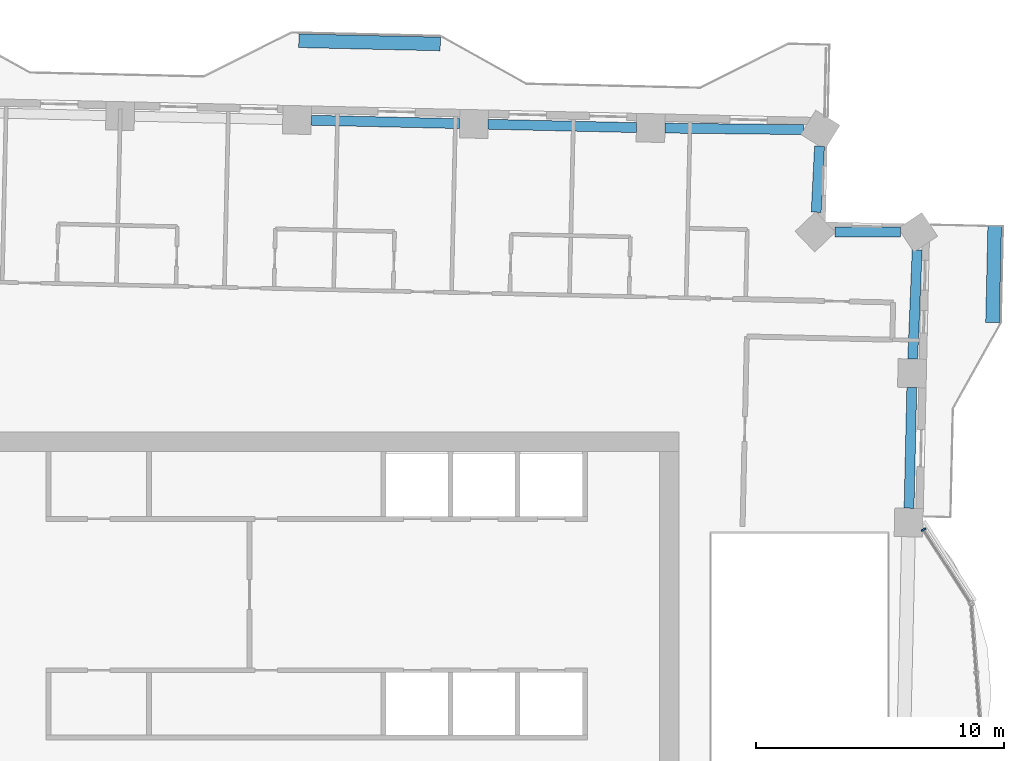
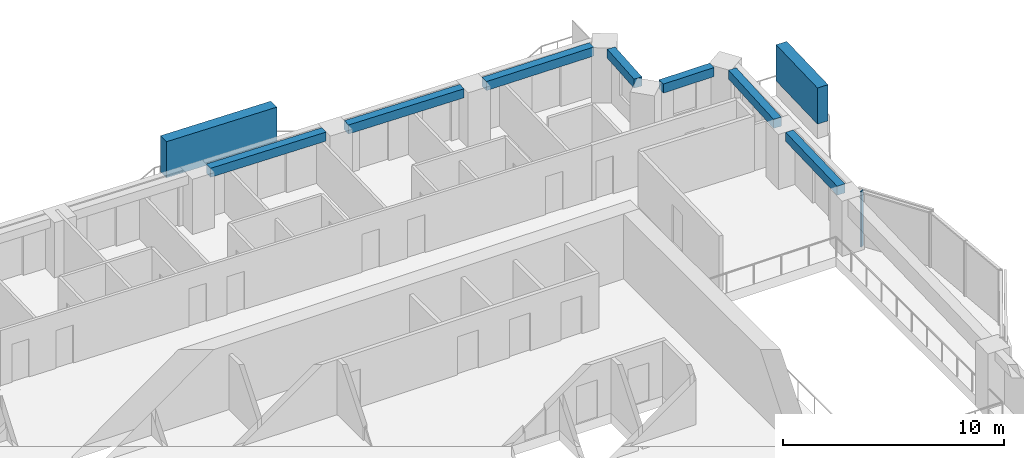
# One storey, part 4 of 16: 7 beams, 3 members, 1 element without a shape of its own.
"""IFC4 building model written with IfcOpenShell, lengths in metres."""

from ifc_helpers import new_model, si_unit, direction, frame, origin, origin_2d, place, context, subcontext, project, spatial, rectangle, extrude, material, material_profile, profile_set, type_object, element, aggregate, save


model = new_model("IFC4")

# Units and contexts
model_context = context("Model", 3, precision=1e-05, world=origin(), true_north=direction((0.0, 1.0)))
body_context = subcontext(model_context, "Body", "Model", "MODEL_VIEW")
ifc_project = project(units=[si_unit("LENGTHUNIT", "METRE"), si_unit("AREAUNIT", "SQUARE_METRE"), si_unit("VOLUMEUNIT", "CUBIC_METRE"), si_unit("PLANEANGLEUNIT", "RADIAN"), si_unit("MASSUNIT", "GRAM", prefix="KILO")], contexts=[model_context])

# Site, building, storey
site_placement = place(None, origin())
site = spatial("IfcSite", under=ifc_project, at=site_placement, CompositionType="ELEMENT")
building_placement = place(site_placement, origin())
building = spatial("IfcBuilding", under=site, at=building_placement, Name="Mangrove Gate Tower", CompositionType="ELEMENT")
storey_placement = place(building_placement, frame((0.0, 0.0, 197.89990234375)))
storey = spatial("IfcBuildingStorey", under=building, at=storey_placement, Name="L50", CompositionType="ELEMENT", Elevation=197.89990234375)

# Curtain wall, member
ifc_material_1 = material(Name="Aluminium and glass curtain wall", Category="aluminium")
curtain_wall_type = type_object("IfcCurtainWallType", Name="Atrium garden-court glazing wall", PredefinedType="NOTDEFINED", material=ifc_material_1)
curtain_wall_placement = place(storey_placement, origin())
curtain_wall = element("IfcCurtainWall", 1, at=curtain_wall_placement, inside=storey, type_object=curtain_wall_type, Name="Atrium garden-court glazing E1f3", PredefinedType="NOTDEFINED")
ifc_material_2 = material(Name="Aluminium alloy 6063-T6", Category="aluminium")
ifc_material_profile_1 = material_profile(ifc_material_2, rectangle(XDim=0.070068359375, YDim=0.199951171875, at=origin_2d()))
ifc_profile_set_1 = profile_set([ifc_material_profile_1], Name="Aluminium alloy 6063-T6")
member_type_1 = type_object("IfcMemberType", Name="Atrium garden-court glazing mullion 70x200", PredefinedType="MULLION", material=ifc_profile_set_1)
member_1_placement = place(storey_placement, frame((24.4443359375, 7.662109375, 0.0), z_axis=(0.0, 0.0, 1.0), x_axis=(-0.540523066602, 0.841329195067, 0.0)))
member_1 = element("IfcMember", 2, at=member_1_placement, type_object=member_type_1, Name="CWA mullion 2", PredefinedType="MULLION", context=body_context, shape_type="SweptSolid", body=[
    extrude(rectangle(XDim=0.070068359375, YDim=0.199951171875, at=origin_2d()), origin(), (0.0, 0.0, 1.0), 3.050048828125),
])
aggregate(curtain_wall, [member_1])

# Members
ifc_material_3 = material(Name="Planting on aluminium trellis", Category="aluminium")
ifc_material_profile_2 = material_profile(ifc_material_3, rectangle(XDim=0.550048828125, YDim=2.0, at=origin_2d()))
ifc_profile_set_2 = profile_set([ifc_material_profile_2], Name="Planting on aluminium trellis")
member_type_2 = type_object("IfcMemberType", Name="Balcony greenery screen 550x2000", PredefinedType="USERDEFINED", material=ifc_profile_set_2)
member_2_placement = place(storey_placement, frame((27.219970703125, 16.0, 1.800048828125), z_axis=(0.022599111039, 0.999744607477, 0.0), x_axis=(-0.999744607477, 0.022599111039, 0.0)))
element("IfcMember", 3, at=member_2_placement, inside=storey, type_object=member_type_2, Name="GREEN SCREEN L50 E1.1", ObjectType="PLANTING", PredefinedType="USERDEFINED", context=body_context, shape_type="SweptSolid", body=[
    extrude(rectangle(XDim=0.550048828125, YDim=2.0, at=origin_2d()), origin(), (0.0, 0.0, 1.0), 3.89990234375),
])
member_3_placement = place(storey_placement, frame((-0.716064453125, 27.35205078125, 1.800048828125), z_axis=(0.999739330573, -0.02283135795, 0.0), x_axis=(0.02283135795, 0.999739330573, 0.0)))
element("IfcMember", 4, at=member_3_placement, inside=storey, type_object=member_type_2, Name="GREEN SCREEN L50 N0.1", ObjectType="PLANTING", PredefinedType="USERDEFINED", context=body_context, shape_type="SweptSolid", body=[
    extrude(rectangle(XDim=0.550048828125, YDim=2.0, at=origin_2d()), origin(), (0.0, 0.0, 1.0), 5.699462890625),
])

# Beams
ifc_material_4 = material(Name="Concrete C50/60", Category="concrete")
ifc_material_profile_3 = material_profile(ifc_material_4, rectangle(XDim=0.39990234375, YDim=0.5, at=origin_2d()))
ifc_profile_set_3 = profile_set([ifc_material_profile_3], Name="Concrete C50/60")
beam_type = type_object("IfcBeamType", Name="Edge beam RC 400x500 C50/60", PredefinedType="BEAM", material=ifc_profile_set_3)
beam_1_placement = place(storey_placement, frame((23.859130859375, 8.52490234375, 2.800048828125), z_axis=(0.022798974864, 0.999740069591, 0.0), x_axis=(-0.999740069591, 0.022798974864, 0.0)))
element("IfcBeam", 5, at=beam_1_placement, inside=storey, type_object=beam_type, Name="Edge beam L50 15", PredefinedType="BEAM", context=body_context, shape_type="SweptSolid", body=[
    extrude(rectangle(XDim=0.39990234375, YDim=0.5, at=origin_2d()), origin(), (0.0, 0.0, 1.0), 4.861572265625),
])
beam_2_placement = place(storey_placement, frame((24.006591796875, 14.53466796875, 2.800048828125), z_axis=(0.040852484804, 0.999165188788, 0.0), x_axis=(-0.999165188788, 0.040852484804, 0.0)))
element("IfcBeam", 6, at=beam_2_placement, inside=storey, type_object=beam_type, Name="Edge beam L50 16", PredefinedType="BEAM", context=body_context, shape_type="SweptSolid", body=[
    extrude(rectangle(XDim=0.39990234375, YDim=0.5, at=origin_2d()), origin(), (0.0, 0.0, 1.0), 4.3984375),
])
beam_3_placement = place(storey_placement, frame((23.522705078125, 19.64208984375, 2.800048828125), z_axis=(-0.999992123666, 0.003968955263, 0.0), x_axis=(-0.003968955263, -0.999992123666, 0.0)))
element("IfcBeam", 7, at=beam_3_placement, inside=storey, type_object=beam_type, Name="Edge beam L50 17", PredefinedType="BEAM", context=body_context, shape_type="SweptSolid", body=[
    extrude(rectangle(XDim=0.39990234375, YDim=0.5, at=origin_2d()), origin(), (0.0, 0.0, 1.0), 2.64501953125),
])
beam_4_placement = place(storey_placement, frame((20.119140625, 20.446044921875, 2.800048828125), z_axis=(0.050485995205, 0.998724769037, 0.0), x_axis=(-0.998724769037, 0.050485995205, 0.0)))
element("IfcBeam", 8, at=beam_4_placement, inside=storey, type_object=beam_type, Name="Edge beam L50 18", PredefinedType="BEAM", context=body_context, shape_type="SweptSolid", body=[
    extrude(rectangle(XDim=0.39990234375, YDim=0.5, at=origin_2d()), origin(), (0.0, 0.0, 1.0), 2.66455078125),
])
beam_5_placement = place(storey_placement, frame((19.61474609375, 23.77099609375, 2.800048828125), z_axis=(-0.999938842602, 0.011059432882, 0.0), x_axis=(-0.011059432882, -0.999938842602, 0.0)))
element("IfcBeam", 9, at=beam_5_placement, inside=storey, type_object=beam_type, Name="Edge beam L50 19", PredefinedType="BEAM", context=body_context, shape_type="SweptSolid", body=[
    extrude(rectangle(XDim=0.39990234375, YDim=0.5, at=origin_2d()), origin(), (0.0, 0.0, 1.0), 5.5849609375),
])
beam_6_placement = place(storey_placement, frame((12.880126953125, 23.852294921875, 2.800048828125), z_axis=(-0.999741814446, 0.022722333681, 0.0), x_axis=(-0.022722333681, -0.999741814446, 0.0)))
element("IfcBeam", 10, at=beam_6_placement, inside=storey, type_object=beam_type, Name="Edge beam L50 20", PredefinedType="BEAM", context=body_context, shape_type="SweptSolid", body=[
    extrude(rectangle(XDim=0.39990234375, YDim=0.5, at=origin_2d()), origin(), (0.0, 0.0, 1.0), 5.973876953125),
])
beam_7_placement = place(storey_placement, frame((5.758056640625, 24.01416015625, 2.800048828125), z_axis=(-0.999744571166, 0.022600717352, 0.0), x_axis=(-0.022600717352, -0.999744571166, 0.0)))
element("IfcBeam", 11, at=beam_7_placement, inside=storey, type_object=beam_type, Name="Edge beam L50 21", PredefinedType="BEAM", context=body_context, shape_type="SweptSolid", body=[
    extrude(rectangle(XDim=0.39990234375, YDim=0.5, at=origin_2d()), origin(), (0.0, 0.0, 1.0), 5.9736328125),
])

save(model, "model.ifc")
